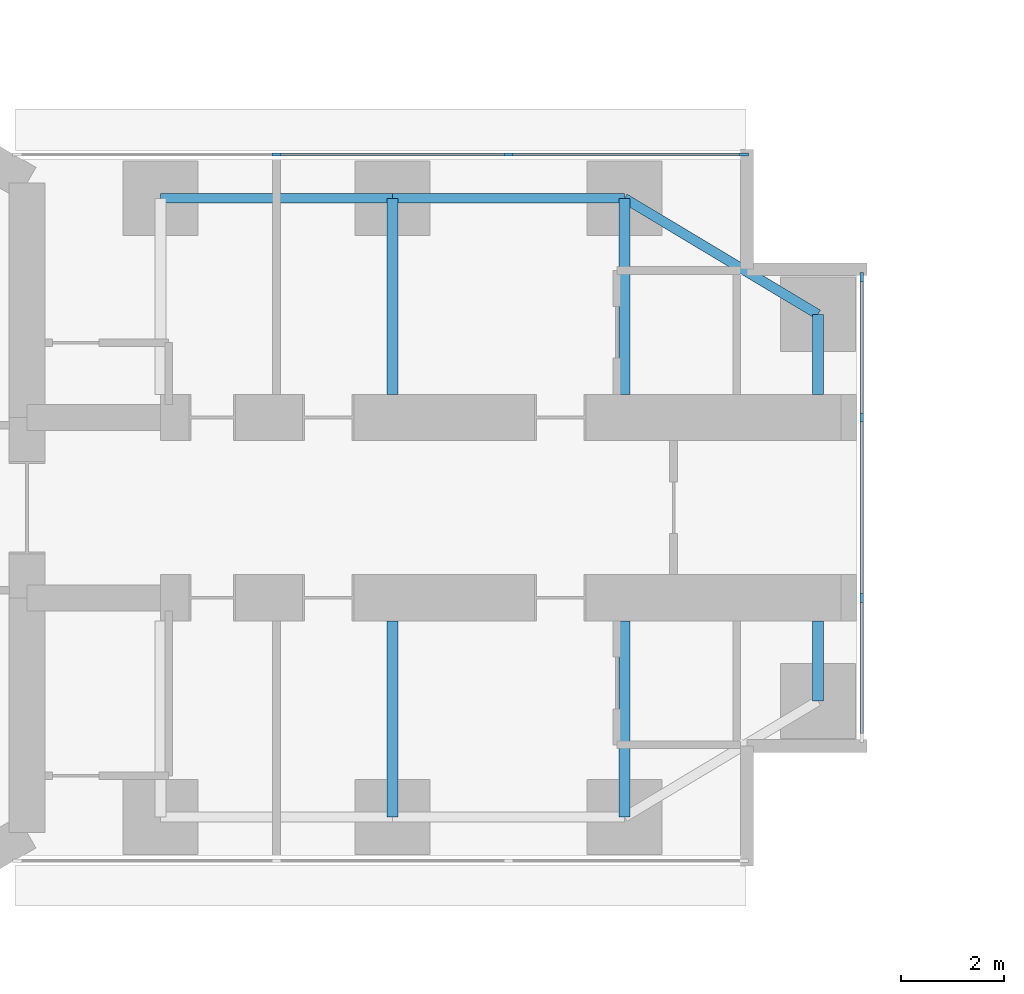
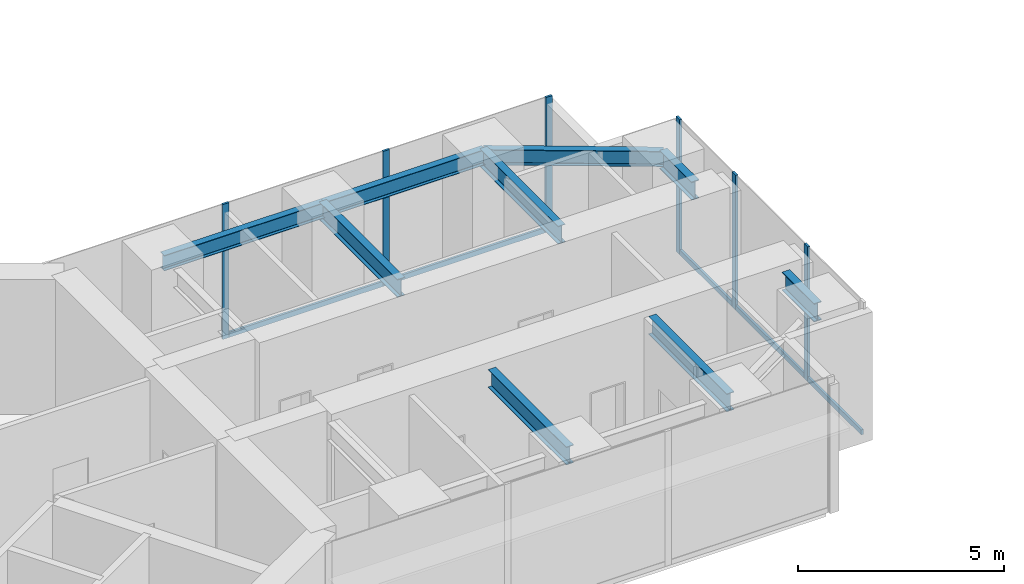
# One storey, part 8 of 24: 11 members, 9 beams, 2 elements without a shape of their own.
"""IFC4 building model written with IfcOpenShell, lengths in metres."""

from ifc_helpers import new_model, si_unit, direction, frame, origin, origin_2d, place, context, subcontext, project, spatial, rectangle, i_section, extrude, material, material_profile, profile_set, type_object, element, aggregate, save


model = new_model("IFC4")

# Units and contexts
model_context = context("Model", 3, precision=1e-05, world=origin(), true_north=direction((0.0, 1.0)))
body_context = subcontext(model_context, "Body", "Model", "MODEL_VIEW")
ifc_project = project(units=[si_unit("LENGTHUNIT", "METRE"), si_unit("AREAUNIT", "SQUARE_METRE"), si_unit("VOLUMEUNIT", "CUBIC_METRE"), si_unit("PLANEANGLEUNIT", "RADIAN"), si_unit("MASSUNIT", "GRAM", prefix="KILO")], contexts=[model_context])

# Site, building, storey
site_placement = place(None, origin())
site = spatial("IfcSite", under=ifc_project, at=site_placement, CompositionType="ELEMENT")
building_placement = place(site_placement, origin())
building = spatial("IfcBuilding", under=site, at=building_placement, Name="Upepo Twin Towers", CompositionType="ELEMENT")
storey_placement = place(building_placement, frame((0.0, 0.0, 52.5)))
storey = spatial("IfcBuildingStorey", under=building, at=storey_placement, Name="L12", CompositionType="ELEMENT", Elevation=52.5)

# Beams
ifc_material_1 = material(Name="Steel S355", Category="steel")
ifc_material_profile_1 = material_profile(ifc_material_1, i_section(OverallWidth=0.1904296875, OverallDepth=0.45703125, WebThickness=0.009033203125, FlangeThickness=0.014404296875, FilletRadius=0.01025390625, at=origin_2d()), Name="UB 457x191x74")
ifc_profile_set_1 = profile_set([ifc_material_profile_1], Name="Steel S355")
beam_type_1 = type_object("IfcBeamType", Name="Beam UB 457x191x74", PredefinedType="BEAM", material=ifc_profile_set_1)
for number, where, z_axis, x_axis, name in (
    (1, (13.5, 6.0, 3.571533203125), (1.0, 0.0, 0.0), (0.0, 1.0, 0.0), "T1 edge beam AL 13.5-18.0"),
    (2, (18.0, 6.0, 3.571533203125), (1.0, 0.0, 0.0), (0.0, 1.0, 0.0), "T1 edge beam AL 18.0-22.5"),
):
    element("IfcBeam", number, at=place(storey_placement, frame(where, z_axis=z_axis, x_axis=x_axis)), inside=storey, type_object=beam_type_1, Name=name, PredefinedType="BEAM", context=body_context, shape_type="SweptSolid", body=[
        extrude(i_section(OverallWidth=0.1904296875, OverallDepth=0.45703125, WebThickness=0.009033203125, FlangeThickness=0.014404296875, FilletRadius=0.01025390625, at=origin_2d()), origin(), (0.0, 0.0, 1.0), 4.5),
    ])
beam_placement = place(storey_placement, frame((22.5, 6.0, 3.571533203125), z_axis=(0.857492925713, -0.514495755428, 0.0), x_axis=(0.514495755428, 0.857492925713, 0.0)))
element("IfcBeam", 3, at=beam_placement, inside=storey, type_object=beam_type_1, Name="T1 nose edge beam AL", PredefinedType="BEAM", context=body_context, shape_type="SweptSolid", body=[
    extrude(i_section(OverallWidth=0.1904296875, OverallDepth=0.45703125, WebThickness=0.009033203125, FlangeThickness=0.014404296875, FilletRadius=0.01025390625, at=origin_2d()), origin(), (0.0, 0.0, 1.0), 4.373291015625),
])
ifc_material_2 = material(Name="Steel S355", Category="steel")
ifc_material_profile_2 = material_profile(ifc_material_2, i_section(OverallWidth=0.2119140625, OverallDepth=0.54443359375, WebThickness=0.0126953125, FlangeThickness=0.021240234375, FilletRadius=0.0126953125, at=origin_2d()), Name="UB 533x210x122")
ifc_profile_set_2 = profile_set([ifc_material_profile_2], Name="Steel S355")
beam_type_2 = type_object("IfcBeamType", Name="Beam UB 533x210x122", PredefinedType="BEAM", material=ifc_profile_set_2)
for number, where, z_axis, x_axis, name in (
    (4, (26.25, 3.75, 3.52783203125), (0.0, -1.0, 0.0), (1.0, 0.0, 0.0), "T1 nose beam AL"),
    (5, (26.25, -3.75, 3.52783203125), (0.0, 1.0, 0.0), (-1.0, 0.0, 0.0), "T1 nose beam AR"),
):
    element("IfcBeam", number, at=place(storey_placement, frame(where, z_axis=z_axis, x_axis=x_axis)), inside=storey, type_object=beam_type_2, Name=name, PredefinedType="BEAM", context=body_context, shape_type="SweptSolid", body=[
        extrude(i_section(OverallWidth=0.2119140625, OverallDepth=0.54443359375, WebThickness=0.0126953125, FlangeThickness=0.021240234375, FilletRadius=0.0126953125, at=origin_2d()), origin(), (0.0, 0.0, 1.0), 1.550048828125),
    ])
ifc_material_3 = material(Name="Steel S355", Category="steel")
ifc_material_profile_3 = material_profile(ifc_material_3, i_section(OverallWidth=0.209228515625, OverallDepth=0.533203125, WebThickness=0.010009765625, FlangeThickness=0.015625, FilletRadius=0.0126953125, at=origin_2d()), Name="UB 533x210x92")
ifc_profile_set_3 = profile_set([ifc_material_profile_3], Name="Steel S355")
beam_type_3 = type_object("IfcBeamType", Name="Beam UB 533x210x92", PredefinedType="BEAM", material=ifc_profile_set_3)
for number, where, z_axis, x_axis, name in (
    (6, (18.0, 6.0, 3.533447265625), (0.0, -1.0, 0.0), (1.0, 0.0, 0.0), "T1 girder AL at 18.0"),
    (7, (22.5, 6.0, 3.533447265625), (0.0, -1.0, 0.0), (1.0, 0.0, 0.0), "T1 girder AL at 22.5"),
    (8, (18.0, -6.0, 3.533447265625), (0.0, 1.0, 0.0), (-1.0, 0.0, 0.0), "T1 girder AR at 18.0"),
    (9, (22.5, -6.0, 3.533447265625), (0.0, 1.0, 0.0), (-1.0, 0.0, 0.0), "T1 girder AR at 22.5"),
):
    element("IfcBeam", number, at=place(storey_placement, frame(where, z_axis=z_axis, x_axis=x_axis)), inside=storey, type_object=beam_type_3, Name=name, PredefinedType="BEAM", context=body_context, shape_type="SweptSolid", body=[
        extrude(i_section(OverallWidth=0.209228515625, OverallDepth=0.533203125, WebThickness=0.010009765625, FlangeThickness=0.015625, FilletRadius=0.0126953125, at=origin_2d()), origin(), (0.0, 0.0, 1.0), 3.800048828125),
    ])

# Curtain wall, members
ifc_material_4 = material(Name="Aluminium and fritted glass", Category="aluminium")
curtain_wall_type = type_object("IfcCurtainWallType", Name="Tower curtain wall TW1, fritted glass", PredefinedType="NOTDEFINED", material=ifc_material_4)
curtain_wall_1_placement = place(storey_placement, origin())
curtain_wall_1 = element("IfcCurtainWall", 10, at=curtain_wall_1_placement, inside=storey, type_object=curtain_wall_type, Name="T1 L12 wing A flank L curtain wall", PredefinedType="NOTDEFINED")
ifc_material_5 = material(Name="Aluminium mullion", Category="aluminium")
ifc_material_profile_4 = material_profile(ifc_material_5, rectangle(XDim=0.06494140625, YDim=0.179931640625, at=origin_2d()), Name="MULLION 65x180")
ifc_profile_set_4 = profile_set([ifc_material_profile_4], Name="Aluminium mullion")
member_type_1 = type_object("IfcMemberType", Name="Mullion 65x180 TW1", PredefinedType="MULLION", material=ifc_profile_set_4)
member_1_placement = place(storey_placement, frame((15.75, 6.85009765625, 0.0), z_axis=(0.0, 0.0, 1.0), x_axis=(0.0, 1.0, 0.0)))
member_1 = element("IfcMember", 11, at=member_1_placement, type_object=member_type_1, Name="T1 L12 wing A flank L curtain wall mullion 2", PredefinedType="MULLION", context=body_context, shape_type="SweptSolid", body=[
    extrude(rectangle(XDim=0.06494140625, YDim=0.179931640625, at=origin_2d()), origin(), (0.0, 0.0, 1.0), 4.0),
])
member_2_placement = place(storey_placement, frame((20.25, 6.85009765625, 0.0), z_axis=(0.0, 0.0, 1.0), x_axis=(0.0, 1.0, 0.0)))
member_2 = element("IfcMember", 12, at=member_2_placement, type_object=member_type_1, Name="T1 L12 wing A flank L curtain wall mullion 3", PredefinedType="MULLION", context=body_context, shape_type="SweptSolid", body=[
    extrude(rectangle(XDim=0.06494140625, YDim=0.179931640625, at=origin_2d()), origin(), (0.0, 0.0, 1.0), 4.0),
])
member_3_placement = place(storey_placement, frame((24.8173828125, 6.85009765625, 0.0), z_axis=(0.0, 0.0, 1.0), x_axis=(0.0, 1.0, 0.0)))
member_3 = element("IfcMember", 13, at=member_3_placement, type_object=member_type_1, Name="T1 L12 wing A flank L curtain wall mullion 4", PredefinedType="MULLION", context=body_context, shape_type="SweptSolid", body=[
    extrude(rectangle(XDim=0.06494140625, YDim=0.179931640625, at=origin_2d()), origin(), (0.0, 0.0, 1.0), 4.0),
])

curtain_wall_2_placement = place(storey_placement, origin())
curtain_wall_2 = element("IfcCurtainWall", 14, at=curtain_wall_2_placement, inside=storey, type_object=curtain_wall_type, Name="T1 L12 wing A nose curtain wall", PredefinedType="NOTDEFINED")
member_4_placement = place(storey_placement, frame((27.10009765625, -1.75, 0.0), z_axis=(0.0, 0.0, 1.0), x_axis=(-1.0, 0.0, 0.0)))
member_4 = element("IfcMember", 15, at=member_4_placement, type_object=member_type_1, Name="T1 L12 wing A nose curtain wall mullion 2", PredefinedType="MULLION", context=body_context, shape_type="SweptSolid", body=[
    extrude(rectangle(XDim=0.06494140625, YDim=0.179931640625, at=origin_2d()), origin(), (0.0, 0.0, 1.0), 4.0),
])
member_5_placement = place(storey_placement, frame((27.10009765625, 1.75, 0.0), z_axis=(0.0, 0.0, 1.0), x_axis=(-1.0, 0.0, 0.0)))
member_5 = element("IfcMember", 16, at=member_5_placement, type_object=member_type_1, Name="T1 L12 wing A nose curtain wall mullion 3", PredefinedType="MULLION", context=body_context, shape_type="SweptSolid", body=[
    extrude(rectangle(XDim=0.06494140625, YDim=0.179931640625, at=origin_2d()), origin(), (0.0, 0.0, 1.0), 4.0),
])
member_6_placement = place(storey_placement, frame((27.10009765625, 4.467529296875, 0.0), z_axis=(0.0, 0.0, 1.0), x_axis=(-1.0, 0.0, 0.0)))
member_6 = element("IfcMember", 17, at=member_6_placement, type_object=member_type_1, Name="T1 L12 wing A nose curtain wall mullion 4", PredefinedType="MULLION", context=body_context, shape_type="SweptSolid", body=[
    extrude(rectangle(XDim=0.06494140625, YDim=0.179931640625, at=origin_2d()), origin(), (0.0, 0.0, 1.0), 4.0),
])

# Member
ifc_material_6 = material(Name="Aluminium transom", Category="aluminium")
ifc_material_profile_5 = material_profile(ifc_material_6, rectangle(XDim=0.06494140625, YDim=0.14990234375, at=origin_2d()), Name="TRANSOM 65x150")
ifc_profile_set_5 = profile_set([ifc_material_profile_5], Name="Aluminium transom")
member_type_2 = type_object("IfcMemberType", Name="Transom 65x150 TW1", PredefinedType="USERDEFINED", material=ifc_profile_set_5)
member_7_placement = place(storey_placement, frame((15.782470703125, 6.85009765625, 0.074951171875), z_axis=(1.0, 0.0, 0.0), x_axis=(0.0, 1.0, 0.0)))
member_7 = element("IfcMember", 18, at=member_7_placement, type_object=member_type_2, Name="T1 L12 wing A flank L curtain wall transom 2", ObjectType="TRANSOM", PredefinedType="USERDEFINED", context=body_context, shape_type="SweptSolid", body=[
    extrude(rectangle(XDim=0.06494140625, YDim=0.14990234375, at=origin_2d()), origin(), (0.0, 0.0, 1.0), 4.43505859375),
])

member_8_placement = place(storey_placement, frame((20.282470703125, 6.85009765625, 0.074951171875), z_axis=(1.0, 0.0, 0.0), x_axis=(0.0, 1.0, 0.0)))
member_8 = element("IfcMember", 19, at=member_8_placement, type_object=member_type_2, Name="T1 L12 wing A flank L curtain wall transom 3", ObjectType="TRANSOM", PredefinedType="USERDEFINED", context=body_context, shape_type="SweptSolid", body=[
    extrude(rectangle(XDim=0.06494140625, YDim=0.14990234375, at=origin_2d()), origin(), (0.0, 0.0, 1.0), 4.50244140625),
])

aggregate(curtain_wall_1, [member_1, member_2, member_3, member_7, member_8])

member_9_placement = place(storey_placement, frame((27.10009765625, -4.43505859375, 0.074951171875), z_axis=(0.0, 1.0, 0.0), x_axis=(-1.0, 0.0, 0.0)))
member_9 = element("IfcMember", 20, at=member_9_placement, type_object=member_type_2, Name="T1 L12 wing A nose curtain wall transom 1", ObjectType="TRANSOM", PredefinedType="USERDEFINED", context=body_context, shape_type="SweptSolid", body=[
    extrude(rectangle(XDim=0.06494140625, YDim=0.14990234375, at=origin_2d()), origin(), (0.0, 0.0, 1.0), 2.652587890625),
])

member_10_placement = place(storey_placement, frame((27.10009765625, -1.717529296875, 0.074951171875), z_axis=(0.0, 1.0, 0.0), x_axis=(-1.0, 0.0, 0.0)))
member_10 = element("IfcMember", 21, at=member_10_placement, type_object=member_type_2, Name="T1 L12 wing A nose curtain wall transom 2", ObjectType="TRANSOM", PredefinedType="USERDEFINED", context=body_context, shape_type="SweptSolid", body=[
    extrude(rectangle(XDim=0.06494140625, YDim=0.14990234375, at=origin_2d()), origin(), (0.0, 0.0, 1.0), 3.43505859375),
])

member_11_placement = place(storey_placement, frame((27.10009765625, 1.782470703125, 0.074951171875), z_axis=(0.0, 1.0, 0.0), x_axis=(-1.0, 0.0, 0.0)))
member_11 = element("IfcMember", 22, at=member_11_placement, type_object=member_type_2, Name="T1 L12 wing A nose curtain wall transom 3", ObjectType="TRANSOM", PredefinedType="USERDEFINED", context=body_context, shape_type="SweptSolid", body=[
    extrude(rectangle(XDim=0.06494140625, YDim=0.14990234375, at=origin_2d()), origin(), (0.0, 0.0, 1.0), 2.652587890625),
])

aggregate(curtain_wall_2, [member_4, member_5, member_6, member_9, member_10, member_11])

save(model, "model.ifc")
